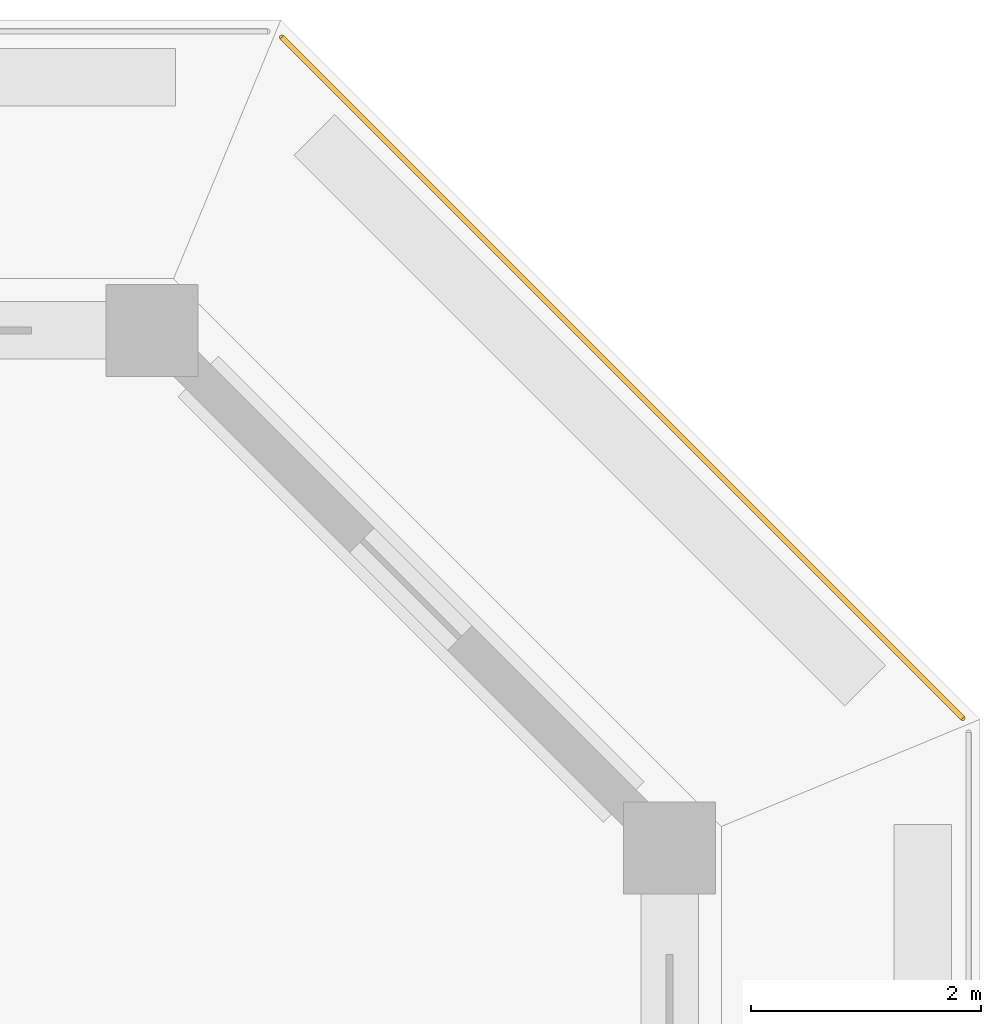
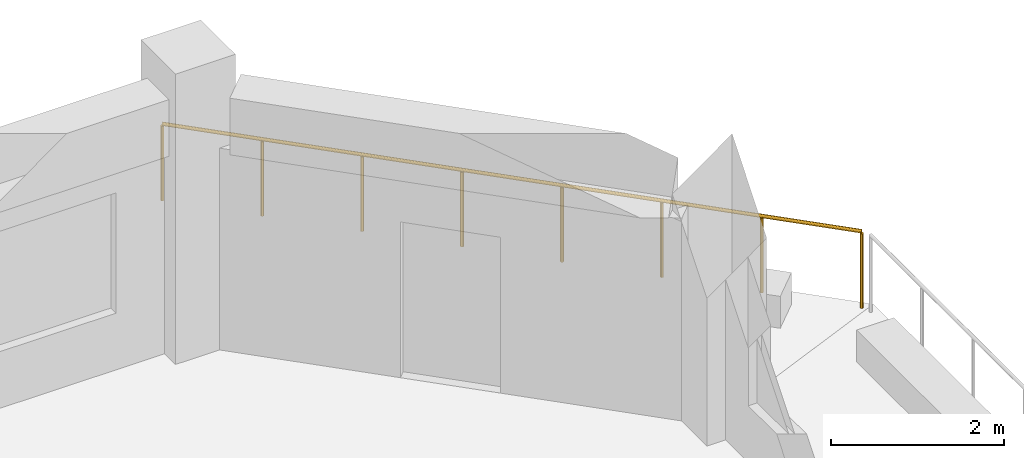
# One storey, part 13 of 14: 1 railing.
"""IFC4 building model written with IfcOpenShell, lengths in metres."""

from ifc_helpers import new_model, si_unit, direction, frame, origin, origin_2d, place, context, subcontext, project, spatial, circle, extrude, material, type_object, element, save


model = new_model("IFC4")

# Units and contexts
model_context = context("Model", 3, precision=1e-05, world=origin(), true_north=direction((0.0, 1.0)))
body_context = subcontext(model_context, "Body", "Model", "MODEL_VIEW")
ifc_project = project(units=[si_unit("LENGTHUNIT", "METRE"), si_unit("AREAUNIT", "SQUARE_METRE"), si_unit("VOLUMEUNIT", "CUBIC_METRE"), si_unit("PLANEANGLEUNIT", "RADIAN"), si_unit("MASSUNIT", "GRAM", prefix="KILO")], contexts=[model_context])

# Site, building, storey
site_placement = place(None, origin())
site = spatial("IfcSite", under=ifc_project, at=site_placement, CompositionType="ELEMENT")
building_placement = place(site_placement, origin())
building = spatial("IfcBuilding", under=site, at=building_placement, Name="Corbel Stack Research Tower", CompositionType="ELEMENT")
storey_placement = place(building_placement, frame((0.0, 0.0, 278.60009765625)))
storey = spatial("IfcBuildingStorey", under=building, at=storey_placement, Name="L63", CompositionType="ELEMENT", Elevation=278.60009765625)

# Railing
ifc_material = material(Name="Powder-coated steel guard", Category="steel")
railing_type = type_object("IfcRailingType", Name="Steel and glass guard 1100", PredefinedType="GUARDRAIL", material=ifc_material)
railing_placement = place(storey_placement, frame((25.04931640625, 23.627685546875, 0.0)))
element("IfcRailing", 1, at=railing_placement, inside=storey, type_object=railing_type, Name="Loggia guard L63 NE", PredefinedType="GUARDRAIL", context=body_context, shape_type="SweptSolid", body=[
    extrude(circle(Radius=0.02392578125, at=origin_2d()), frame((0.0, 0.0, 1.076171875), z_axis=(-0.707106781187, 0.707106781187, 0.0), x_axis=(-0.707106781187, -0.707106781187, 0.0)), (0.0, 0.0, 1.0), 8.37451171875),
    extrude(circle(Radius=0.02099609375, at=origin_2d()), origin(), (0.0, 0.0, 1.0), 1.052001953125),
    extrude(circle(Radius=0.02099609375, at=origin_2d()), frame((-0.845947265625, 0.845947265625, 0.0)), (0.0, 0.0, 1.0), 1.052001953125),
    extrude(circle(Radius=0.02099609375, at=origin_2d()), frame((-1.69189453125, 1.69189453125, 0.0)), (0.0, 0.0, 1.0), 1.052001953125),
    extrude(circle(Radius=0.02099609375, at=origin_2d()), frame((-2.537841796875, 2.537841796875, 0.0)), (0.0, 0.0, 1.0), 1.052001953125),
    extrude(circle(Radius=0.02099609375, at=origin_2d()), frame((-3.3837890625, 3.3837890625, 0.0)), (0.0, 0.0, 1.0), 1.052001953125),
    extrude(circle(Radius=0.02099609375, at=origin_2d()), frame((-4.229736328125, 4.229736328125, 0.0)), (0.0, 0.0, 1.0), 1.052001953125),
    extrude(circle(Radius=0.02099609375, at=origin_2d()), frame((-5.07568359375, 5.07568359375, 0.0)), (0.0, 0.0, 1.0), 1.052001953125),
    extrude(circle(Radius=0.02099609375, at=origin_2d()), frame((-5.921630859375, 5.921630859375, 0.0)), (0.0, 0.0, 1.0), 1.052001953125),
])

save(model, "model.ifc")
